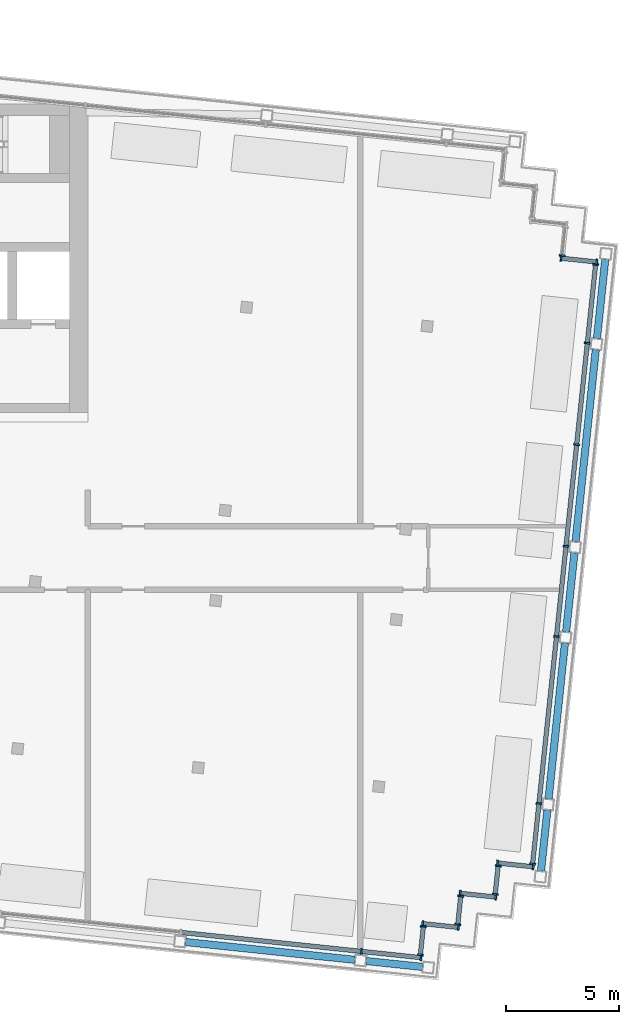
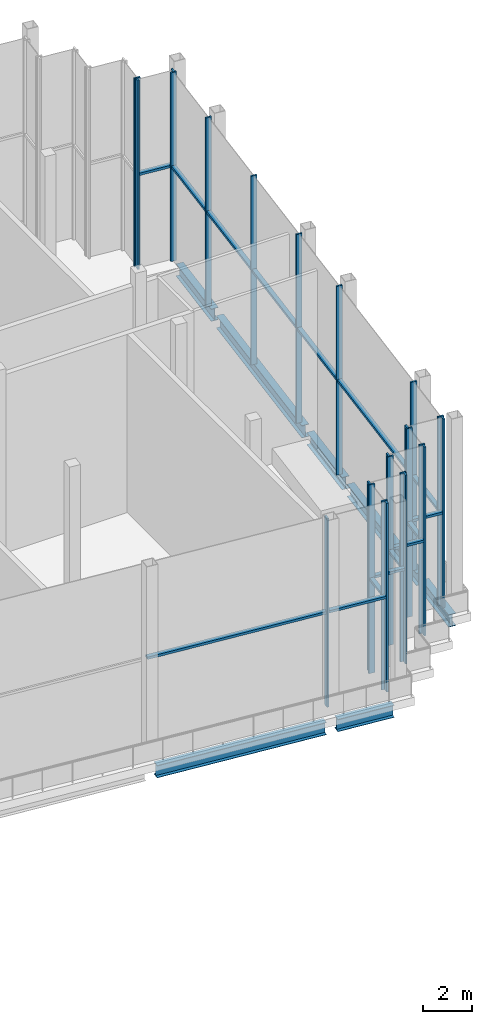
# One storey, part 3 of 14: 39 members, 7 beams, 10 elements without a shape of their own.
"""IFC4 building model written with IfcOpenShell, lengths in metres."""

from ifc_helpers import new_model, si_unit, direction, frame, origin, origin_2d, place, context, subcontext, project, spatial, rectangle, i_section, extrude, material, material_profile, profile_set, type_object, element, aggregate, save


model = new_model("IFC4")

# Units and contexts
model_context = context("Model", 3, precision=1e-05, world=origin(), true_north=direction((0.0, 1.0)))
body_context = subcontext(model_context, "Body", "Model", "MODEL_VIEW")
ifc_project = project(units=[si_unit("LENGTHUNIT", "METRE"), si_unit("AREAUNIT", "SQUARE_METRE"), si_unit("VOLUMEUNIT", "CUBIC_METRE"), si_unit("PLANEANGLEUNIT", "RADIAN"), si_unit("MASSUNIT", "GRAM", prefix="KILO")], contexts=[model_context])

# Site, building, storey
site_placement = place(None, origin())
site = spatial("IfcSite", under=ifc_project, at=site_placement, CompositionType="ELEMENT")
building_placement = place(site_placement, origin())
building = spatial("IfcBuilding", under=site, at=building_placement, Name="Vidyagriha Tower", CompositionType="ELEMENT")
storey_placement = place(building_placement, frame((0.0, 0.0, 281.89990234375)))
storey = spatial("IfcBuildingStorey", under=building, at=storey_placement, Name="L74", CompositionType="ELEMENT", Elevation=281.89990234375)

# Beams
ifc_material_1 = material(Name="Steel ASTM A992 Grade 50", Category="steel")
ifc_material_profile_1 = material_profile(ifc_material_1, i_section(OverallWidth=0.32373046875, OverallDepth=0.612060546875, WebThickness=0.0126953125, FlangeThickness=0.01904296875, at=origin_2d()), Name="W24X104")
ifc_profile_set_1 = profile_set([ifc_material_profile_1], Name="Steel ASTM A992 Grade 50")
beam_type = type_object("IfcBeamType", Name="Edge beam W24X104", PredefinedType="SPANDREL", material=ifc_profile_set_1)
beam_1_placement = place(storey_placement, frame((14.304931640625, -16.92724609375, -0.7060546875), z_axis=(0.994522384662, -0.104523807841, 0.0), x_axis=(0.104523807841, 0.994522384662, 0.0)))
element("IfcBeam", 1, at=beam_1_placement, inside=storey, type_object=beam_type, Name="st-beam-L74-S06", PredefinedType="SPANDREL", context=body_context, shape_type="SweptSolid", body=[
    extrude(i_section(OverallWidth=0.32373046875, OverallDepth=0.612060546875, WebThickness=0.0126953125, FlangeThickness=0.01904296875, at=origin_2d()), origin(), (0.0, 0.0, 1.0), 7.5),
])
beam_2_placement = place(storey_placement, frame((22.260986328125, -17.763427734375, -0.7060546875), z_axis=(0.994515615024, -0.104588199498, 0.0), x_axis=(0.104588199498, 0.994515615024, 0.0)))
element("IfcBeam", 2, at=beam_2_placement, inside=storey, type_object=beam_type, Name="st-beam-L74-S07", PredefinedType="SPANDREL", context=body_context, shape_type="SweptSolid", body=[
    extrude(i_section(OverallWidth=0.32373046875, OverallDepth=0.612060546875, WebThickness=0.0126953125, FlangeThickness=0.01904296875, at=origin_2d()), origin(), (0.0, 0.0, 1.0), 2.5),
])
beam_3_placement = place(storey_placement, frame((29.968017578125, -13.79736328125, -0.7060546875), z_axis=(0.104435320588, 0.994531680649, 0.0), x_axis=(-0.994531680649, 0.104435320588, 0.0)))
element("IfcBeam", 3, at=beam_3_placement, inside=storey, type_object=beam_type, Name="st-beam-L74-E13", PredefinedType="SPANDREL", context=body_context, shape_type="SweptSolid", body=[
    extrude(i_section(OverallWidth=0.32373046875, OverallDepth=0.612060546875, WebThickness=0.0126953125, FlangeThickness=0.01904296875, at=origin_2d()), origin(), (0.0, 0.0, 1.0), 2.699951171875),
])
beam_4_placement = place(storey_placement, frame((30.30224609375, -10.61474609375, -0.7060546875), z_axis=(0.104557694553, 0.994518822602, 0.0), x_axis=(-0.994518822602, 0.104557694553, 0.0)))
element("IfcBeam", 4, at=beam_4_placement, inside=storey, type_object=beam_type, Name="st-beam-L74-E14", PredefinedType="SPANDREL", context=body_context, shape_type="SweptSolid", body=[
    extrude(i_section(OverallWidth=0.32373046875, OverallDepth=0.612060546875, WebThickness=0.0126953125, FlangeThickness=0.01904296875, at=origin_2d()), origin(), (0.0, 0.0, 1.0), 6.89990234375),
])
beam_5_placement = place(storey_placement, frame((31.075927734375, -3.25537109375, -0.7060546875), z_axis=(0.104495960989, 0.994525310958, 0.0), x_axis=(-0.994525310958, 0.104495960989, 0.0)))
element("IfcBeam", 5, at=beam_5_placement, inside=storey, type_object=beam_type, Name="st-beam-L74-E15", PredefinedType="SPANDREL", context=body_context, shape_type="SweptSolid", body=[
    extrude(i_section(OverallWidth=0.32373046875, OverallDepth=0.612060546875, WebThickness=0.0126953125, FlangeThickness=0.01904296875, at=origin_2d()), origin(), (0.0, 0.0, 1.0), 3.499755859375),
])
beam_6_placement = place(storey_placement, frame((31.493896484375, 0.72265625, -0.7060546875), z_axis=(0.104550220202, 0.994519608382, 0.0), x_axis=(-0.994519608382, 0.104550220202, 0.0)))
element("IfcBeam", 6, at=beam_6_placement, inside=storey, type_object=beam_type, Name="st-beam-L74-E16", PredefinedType="SPANDREL", context=body_context, shape_type="SweptSolid", body=[
    extrude(i_section(OverallWidth=0.32373046875, OverallDepth=0.612060546875, WebThickness=0.0126953125, FlangeThickness=0.01904296875, at=origin_2d()), origin(), (0.0, 0.0, 1.0), 8.5),
])
beam_7_placement = place(storey_placement, frame((32.434814453125, 9.67333984375, -0.7060546875), z_axis=(0.104488712073, 0.994526072584, 0.0), x_axis=(-0.994526072584, 0.104488712073, 0.0)))
element("IfcBeam", 7, at=beam_7_placement, inside=storey, type_object=beam_type, Name="st-beam-L74-E17", PredefinedType="SPANDREL", context=body_context, shape_type="SweptSolid", body=[
    extrude(i_section(OverallWidth=0.32373046875, OverallDepth=0.612060546875, WebThickness=0.0126953125, FlangeThickness=0.01904296875, at=origin_2d()), origin(), (0.0, 0.0, 1.0), 3.5),
])

# Curtain wall, members
ifc_material_2 = material(Name="Aluminium and glass curtain wall", Category="aluminium")
curtain_wall_type = type_object("IfcCurtainWallType", Name="Winter garden glazing wall", PredefinedType="USERDEFINED", material=ifc_material_2)
curtain_wall_1_placement = place(storey_placement, origin())
curtain_wall_1 = element("IfcCurtainWall", 8, at=curtain_wall_1_placement, inside=storey, type_object=curtain_wall_type, Name="CW3 winter garden glazing", ObjectType="STICK GLAZING", PredefinedType="USERDEFINED")
ifc_material_3 = material(Name="Aluminium black anodised", Category="aluminium")
ifc_material_profile_2 = material_profile(ifc_material_3, rectangle(XDim=0.260009765625, YDim=0.080078125, at=origin_2d()), Name="Mullion 80x260 black aluminium")
ifc_profile_set_2 = profile_set([ifc_material_profile_2], Name="Aluminium black anodised")
member_type_1 = type_object("IfcMemberType", Name="Mullion 80x260 black aluminium", PredefinedType="MULLION", material=ifc_profile_set_2)
member_1_placement = place(storey_placement, frame((32.4267578125, 13.042724609375, 0.0), z_axis=(0.0, 0.0, 1.0), x_axis=(-0.104465258184, -0.99452853646, 0.0)))
member_1 = element("IfcMember", 9, at=member_1_placement, type_object=member_type_1, Name="CW3 mullion 1", PredefinedType="MULLION", context=body_context, shape_type="SweptSolid", body=[
    extrude(rectangle(XDim=0.260009765625, YDim=0.080078125, at=origin_2d()), origin(), (0.0, 0.0, 1.0), 9.320068359375),
])
member_2_placement = place(storey_placement, frame((30.85546875, 13.207763671875, 0.0), z_axis=(0.0, 0.0, 1.0), x_axis=(-0.104465258184, -0.99452853646, 0.0)))
member_2 = element("IfcMember", 10, at=member_2_placement, type_object=member_type_1, Name="CW3 mullion 2", PredefinedType="MULLION", context=body_context, shape_type="SweptSolid", body=[
    extrude(rectangle(XDim=0.260009765625, YDim=0.080078125, at=origin_2d()), origin(), (0.0, 0.0, 1.0), 9.320068359375),
])

# Curtain wall, member
curtain_wall_2_placement = place(storey_placement, origin())
curtain_wall_2 = element("IfcCurtainWall", 11, at=curtain_wall_2_placement, inside=storey, type_object=curtain_wall_type, Name="CW3 winter garden glazing", ObjectType="STICK GLAZING", PredefinedType="USERDEFINED")
member_3_placement = place(storey_placement, frame((30.907958984375, 13.322998046875, 0.0), z_axis=(0.0, 0.0, 1.0), x_axis=(-0.994527511623, 0.104475014354, 0.0)))
member_3 = element("IfcMember", 12, at=member_3_placement, type_object=member_type_1, Name="CW3 mullion 1", PredefinedType="MULLION", context=body_context, shape_type="SweptSolid", body=[
    extrude(rectangle(XDim=0.260009765625, YDim=0.080078125, at=origin_2d()), origin(), (0.0, 0.0, 1.0), 9.320068359375),
])
aggregate(curtain_wall_2, [member_3])

# Curtain wall, members
curtain_wall_3_placement = place(storey_placement, origin())
curtain_wall_3 = element("IfcCurtainWall", 13, at=curtain_wall_3_placement, inside=storey, type_object=curtain_wall_type, Name="CW3 winter garden glazing", ObjectType="STICK GLAZING", PredefinedType="USERDEFINED")
member_4_placement = place(storey_placement, frame((22.05419921875, -17.33935546875, 0.0), z_axis=(0.0, 0.0, 1.0), x_axis=(0.104528251556, 0.99452191762, 0.0)))
member_4 = element("IfcMember", 14, at=member_4_placement, type_object=member_type_1, Name="CW3 mullion 7", PredefinedType="MULLION", context=body_context, shape_type="SweptSolid", body=[
    extrude(rectangle(XDim=0.260009765625, YDim=0.080078125, at=origin_2d()), origin(), (0.0, 0.0, 1.0), 9.320068359375),
])
member_5_placement = place(storey_placement, frame((24.679931640625, -17.615478515625, 0.0), z_axis=(0.0, 0.0, 1.0), x_axis=(0.104528251556, 0.99452191762, 0.0)))
member_5 = element("IfcMember", 15, at=member_5_placement, type_object=member_type_1, Name="CW3 mullion 8", PredefinedType="MULLION", context=body_context, shape_type="SweptSolid", body=[
    extrude(rectangle(XDim=0.260009765625, YDim=0.080078125, at=origin_2d()), origin(), (0.0, 0.0, 1.0), 9.320068359375),
])

curtain_wall_4_placement = place(storey_placement, origin())
curtain_wall_4 = element("IfcCurtainWall", 16, at=curtain_wall_4_placement, inside=storey, type_object=curtain_wall_type, Name="CW3 winter garden glazing", ObjectType="STICK GLAZING", PredefinedType="USERDEFINED")
member_6_placement = place(storey_placement, frame((24.652587890625, -17.491943359375, 0.0), z_axis=(0.0, 0.0, 1.0), x_axis=(-0.994518939392, 0.104556583677, 0.0)))
member_6 = element("IfcMember", 17, at=member_6_placement, type_object=member_type_1, Name="CW3 mullion 1", PredefinedType="MULLION", context=body_context, shape_type="SweptSolid", body=[
    extrude(rectangle(XDim=0.260009765625, YDim=0.080078125, at=origin_2d()), origin(), (0.0, 0.0, 1.0), 9.320068359375),
])
member_7_placement = place(storey_placement, frame((24.784423828125, -16.23876953125, 0.0), z_axis=(0.0, 0.0, 1.0), x_axis=(-0.994518939392, 0.104556583677, 0.0)))
member_7 = element("IfcMember", 18, at=member_7_placement, type_object=member_type_1, Name="CW3 mullion 2", PredefinedType="MULLION", context=body_context, shape_type="SweptSolid", body=[
    extrude(rectangle(XDim=0.260009765625, YDim=0.080078125, at=origin_2d()), origin(), (0.0, 0.0, 1.0), 9.320068359375),
])

curtain_wall_5_placement = place(storey_placement, origin())
curtain_wall_5 = element("IfcCurtainWall", 19, at=curtain_wall_5_placement, inside=storey, type_object=curtain_wall_type, Name="CW3 winter garden glazing", ObjectType="STICK GLAZING", PredefinedType="USERDEFINED")
member_8_placement = place(storey_placement, frame((24.757080078125, -16.115478515625, 0.0), z_axis=(0.0, 0.0, 1.0), x_axis=(0.104518583201, 0.994522933756, 0.0)))
member_8 = element("IfcMember", 20, at=member_8_placement, type_object=member_type_1, Name="CW3 mullion 1", PredefinedType="MULLION", context=body_context, shape_type="SweptSolid", body=[
    extrude(rectangle(XDim=0.260009765625, YDim=0.080078125, at=origin_2d()), origin(), (0.0, 0.0, 1.0), 9.320068359375),
])
member_9_placement = place(storey_placement, frame((26.328369140625, -16.280517578125, 0.0), z_axis=(0.0, 0.0, 1.0), x_axis=(0.104518583201, 0.994522933756, 0.0)))
member_9 = element("IfcMember", 21, at=member_9_placement, type_object=member_type_1, Name="CW3 mullion 2", PredefinedType="MULLION", context=body_context, shape_type="SweptSolid", body=[
    extrude(rectangle(XDim=0.260009765625, YDim=0.080078125, at=origin_2d()), origin(), (0.0, 0.0, 1.0), 9.320068359375),
])

curtain_wall_6_placement = place(storey_placement, origin())
curtain_wall_6 = element("IfcCurtainWall", 22, at=curtain_wall_6_placement, inside=storey, type_object=curtain_wall_type, Name="CW3 winter garden glazing", ObjectType="STICK GLAZING", PredefinedType="USERDEFINED")
member_10_placement = place(storey_placement, frame((26.30126953125, -16.156982421875, 0.0), z_axis=(0.0, 0.0, 1.0), x_axis=(-0.994519755162, 0.104548823962, 0.0)))
member_10 = element("IfcMember", 23, at=member_10_placement, type_object=member_type_1, Name="CW3 mullion 1", PredefinedType="MULLION", context=body_context, shape_type="SweptSolid", body=[
    extrude(rectangle(XDim=0.260009765625, YDim=0.080078125, at=origin_2d()), origin(), (0.0, 0.0, 1.0), 9.320068359375),
])
member_11_placement = place(storey_placement, frame((26.432861328125, -14.90380859375, 0.0), z_axis=(0.0, 0.0, 1.0), x_axis=(-0.994519755162, 0.104548823962, 0.0)))
member_11 = element("IfcMember", 24, at=member_11_placement, type_object=member_type_1, Name="CW3 mullion 2", PredefinedType="MULLION", context=body_context, shape_type="SweptSolid", body=[
    extrude(rectangle(XDim=0.260009765625, YDim=0.080078125, at=origin_2d()), origin(), (0.0, 0.0, 1.0), 9.320068359375),
])

curtain_wall_7_placement = place(storey_placement, origin())
curtain_wall_7 = element("IfcCurtainWall", 25, at=curtain_wall_7_placement, inside=storey, type_object=curtain_wall_type, Name="CW3 winter garden glazing", ObjectType="STICK GLAZING", PredefinedType="USERDEFINED")
member_12_placement = place(storey_placement, frame((26.405517578125, -14.7802734375, 0.0), z_axis=(0.0, 0.0, 1.0), x_axis=(0.104518583201, 0.994522933756, 0.0)))
member_12 = element("IfcMember", 26, at=member_12_placement, type_object=member_type_1, Name="CW3 mullion 1", PredefinedType="MULLION", context=body_context, shape_type="SweptSolid", body=[
    extrude(rectangle(XDim=0.260009765625, YDim=0.080078125, at=origin_2d()), origin(), (0.0, 0.0, 1.0), 9.320068359375),
])
member_13_placement = place(storey_placement, frame((27.976806640625, -14.945556640625, 0.0), z_axis=(0.0, 0.0, 1.0), x_axis=(0.104518583201, 0.994522933756, 0.0)))
member_13 = element("IfcMember", 27, at=member_13_placement, type_object=member_type_1, Name="CW3 mullion 2", PredefinedType="MULLION", context=body_context, shape_type="SweptSolid", body=[
    extrude(rectangle(XDim=0.260009765625, YDim=0.080078125, at=origin_2d()), origin(), (0.0, 0.0, 1.0), 9.320068359375),
])

curtain_wall_8_placement = place(storey_placement, origin())
curtain_wall_8 = element("IfcCurtainWall", 28, at=curtain_wall_8_placement, inside=storey, type_object=curtain_wall_type, Name="CW3 winter garden glazing", ObjectType="STICK GLAZING", PredefinedType="USERDEFINED")
member_14_placement = place(storey_placement, frame((27.94970703125, -14.822021484375, 0.0), z_axis=(0.0, 0.0, 1.0), x_axis=(-0.994519755162, 0.104548823962, 0.0)))
member_14 = element("IfcMember", 29, at=member_14_placement, type_object=member_type_1, Name="CW3 mullion 1", PredefinedType="MULLION", context=body_context, shape_type="SweptSolid", body=[
    extrude(rectangle(XDim=0.260009765625, YDim=0.080078125, at=origin_2d()), origin(), (0.0, 0.0, 1.0), 9.320068359375),
])
member_15_placement = place(storey_placement, frame((28.081298828125, -13.56884765625, 0.0), z_axis=(0.0, 0.0, 1.0), x_axis=(-0.994519755162, 0.104548823962, 0.0)))
member_15 = element("IfcMember", 30, at=member_15_placement, type_object=member_type_1, Name="CW3 mullion 2", PredefinedType="MULLION", context=body_context, shape_type="SweptSolid", body=[
    extrude(rectangle(XDim=0.260009765625, YDim=0.080078125, at=origin_2d()), origin(), (0.0, 0.0, 1.0), 9.320068359375),
])

curtain_wall_9_placement = place(storey_placement, origin())
curtain_wall_9 = element("IfcCurtainWall", 31, at=curtain_wall_9_placement, inside=storey, type_object=curtain_wall_type, Name="CW3 winter garden glazing", ObjectType="STICK GLAZING", PredefinedType="USERDEFINED")
member_16_placement = place(storey_placement, frame((28.05419921875, -13.4453125, 0.0), z_axis=(0.0, 0.0, 1.0), x_axis=(0.104512321721, 0.994523591781, 0.0)))
member_16 = element("IfcMember", 32, at=member_16_placement, type_object=member_type_1, Name="CW3 mullion 1", PredefinedType="MULLION", context=body_context, shape_type="SweptSolid", body=[
    extrude(rectangle(XDim=0.260009765625, YDim=0.080078125, at=origin_2d()), origin(), (0.0, 0.0, 1.0), 9.320068359375),
])
member_17_placement = place(storey_placement, frame((29.62548828125, -13.610595703125, 0.0), z_axis=(0.0, 0.0, 1.0), x_axis=(0.104512321721, 0.994523591781, 0.0)))
member_17 = element("IfcMember", 33, at=member_17_placement, type_object=member_type_1, Name="CW3 mullion 2", PredefinedType="MULLION", context=body_context, shape_type="SweptSolid", body=[
    extrude(rectangle(XDim=0.260009765625, YDim=0.080078125, at=origin_2d()), origin(), (0.0, 0.0, 1.0), 9.320068359375),
])

curtain_wall_10_placement = place(storey_placement, origin())
curtain_wall_10 = element("IfcCurtainWall", 34, at=curtain_wall_10_placement, inside=storey, type_object=curtain_wall_type, Name="CW3 winter garden glazing", ObjectType="STICK GLAZING", PredefinedType="USERDEFINED")
member_18_placement = place(storey_placement, frame((29.598388671875, -13.487060546875, 0.0), z_axis=(0.0, 0.0, 1.0), x_axis=(-0.994522059728, 0.104526899479, 0.0)))
member_18 = element("IfcMember", 35, at=member_18_placement, type_object=member_type_1, Name="CW3 mullion 1", PredefinedType="MULLION", context=body_context, shape_type="SweptSolid", body=[
    extrude(rectangle(XDim=0.260009765625, YDim=0.080078125, at=origin_2d()), origin(), (0.0, 0.0, 1.0), 9.320068359375),
])
member_19_placement = place(storey_placement, frame((29.87841796875, -10.82177734375, 0.0), z_axis=(0.0, 0.0, 1.0), x_axis=(-0.994522059728, 0.104526899479, 0.0)))
member_19 = element("IfcMember", 36, at=member_19_placement, type_object=member_type_1, Name="CW3 mullion 2", PredefinedType="MULLION", context=body_context, shape_type="SweptSolid", body=[
    extrude(rectangle(XDim=0.260009765625, YDim=0.080078125, at=origin_2d()), origin(), (0.0, 0.0, 1.0), 9.320068359375),
])
member_20_placement = place(storey_placement, frame((30.65185546875, -3.462158203125, 0.0), z_axis=(0.0, 0.0, 1.0), x_axis=(-0.994522059728, 0.104526899479, 0.0)))
member_20 = element("IfcMember", 37, at=member_20_placement, type_object=member_type_1, Name="CW3 mullion 3", PredefinedType="MULLION", context=body_context, shape_type="SweptSolid", body=[
    extrude(rectangle(XDim=0.260009765625, YDim=0.080078125, at=origin_2d()), origin(), (0.0, 0.0, 1.0), 9.320068359375),
])
member_21_placement = place(storey_placement, frame((31.070068359375, 0.515869140625, 0.0), z_axis=(0.0, 0.0, 1.0), x_axis=(-0.994522059728, 0.104526899479, 0.0)))
member_21 = element("IfcMember", 38, at=member_21_placement, type_object=member_type_1, Name="CW3 mullion 4", PredefinedType="MULLION", context=body_context, shape_type="SweptSolid", body=[
    extrude(rectangle(XDim=0.260009765625, YDim=0.080078125, at=origin_2d()), origin(), (0.0, 0.0, 1.0), 9.320068359375),
])
member_22_placement = place(storey_placement, frame((31.540283203125, 4.9912109375, 0.0), z_axis=(0.0, 0.0, 1.0), x_axis=(-0.994522059728, 0.104526899479, 0.0)))
member_22 = element("IfcMember", 39, at=member_22_placement, type_object=member_type_1, Name="CW3 mullion 5", PredefinedType="MULLION", context=body_context, shape_type="SweptSolid", body=[
    extrude(rectangle(XDim=0.260009765625, YDim=0.080078125, at=origin_2d()), origin(), (0.0, 0.0, 1.0), 9.320068359375),
])
member_23_placement = place(storey_placement, frame((32.0107421875, 9.466552734375, 0.0), z_axis=(0.0, 0.0, 1.0), x_axis=(-0.994522059728, 0.104526899479, 0.0)))
member_23 = element("IfcMember", 40, at=member_23_placement, type_object=member_type_1, Name="CW3 mullion 6", PredefinedType="MULLION", context=body_context, shape_type="SweptSolid", body=[
    extrude(rectangle(XDim=0.260009765625, YDim=0.080078125, at=origin_2d()), origin(), (0.0, 0.0, 1.0), 9.320068359375),
])
member_24_placement = place(storey_placement, frame((32.37451171875, 12.927490234375, 0.0), z_axis=(0.0, 0.0, 1.0), x_axis=(-0.994522059728, 0.104526899479, 0.0)))
member_24 = element("IfcMember", 41, at=member_24_placement, type_object=member_type_1, Name="CW3 mullion 7", PredefinedType="MULLION", context=body_context, shape_type="SweptSolid", body=[
    extrude(rectangle(XDim=0.260009765625, YDim=0.080078125, at=origin_2d()), origin(), (0.0, 0.0, 1.0), 9.320068359375),
])

# Member
ifc_material_4 = material(Name="Aluminium black anodised", Category="aluminium")
ifc_material_profile_3 = material_profile(ifc_material_4, rectangle(XDim=0.199951171875, YDim=0.1201171875, at=origin_2d()), Name="Transom 120x200 black aluminium")
ifc_profile_set_3 = profile_set([ifc_material_profile_3], Name="Aluminium black anodised")
member_type_2 = type_object("IfcMemberType", Name="Transom 120x200 black aluminium", PredefinedType="USERDEFINED", material=ifc_profile_set_3)
member_25_placement = place(storey_placement, frame((32.386962890625, 13.046875, 4.66015625), z_axis=(-0.994525057048, 0.104498377516, 0.0), x_axis=(-0.104498377516, -0.994525057048, 0.0)))
member_25 = element("IfcMember", 42, at=member_25_placement, type_object=member_type_2, Name="CW3 transom 1.1", ObjectType="TRANSOM", PredefinedType="USERDEFINED", context=body_context, shape_type="SweptSolid", body=[
    extrude(rectangle(XDim=0.199951171875, YDim=0.1201171875, at=origin_2d()), origin(), (0.0, 0.0, 1.0), 1.5),
])

aggregate(curtain_wall_1, [member_1, member_2, member_25])

member_26_placement = place(storey_placement, frame((14.137939453125, -16.50732421875, 4.66015625), z_axis=(0.99452148786, -0.10453234038, 0.0), x_axis=(0.10453234038, 0.99452148786, 0.0)))
member_26 = element("IfcMember", 43, at=member_26_placement, type_object=member_type_2, Name="CW3 transom 6.1", ObjectType="TRANSOM", PredefinedType="USERDEFINED", context=body_context, shape_type="SweptSolid", body=[
    extrude(rectangle(XDim=0.199951171875, YDim=0.1201171875, at=origin_2d()), origin(), (0.0, 0.0, 1.0), 7.919921875),
])

member_27_placement = place(storey_placement, frame((22.093994140625, -17.34375, 4.66015625), z_axis=(0.994523204544, -0.104516006538, 0.0), x_axis=(0.104516006538, 0.994523204544, 0.0)))
member_27 = element("IfcMember", 44, at=member_27_placement, type_object=member_type_2, Name="CW3 transom 7.1", ObjectType="TRANSOM", PredefinedType="USERDEFINED", context=body_context, shape_type="SweptSolid", body=[
    extrude(rectangle(XDim=0.199951171875, YDim=0.1201171875, at=origin_2d()), origin(), (0.0, 0.0, 1.0), 2.56005859375),
])

aggregate(curtain_wall_3, [member_4, member_5, member_26, member_27])

member_28_placement = place(storey_placement, frame((24.65673828125, -17.4521484375, 4.66015625), z_axis=(0.104480158203, 0.994526971249, 0.0), x_axis=(-0.994526971249, 0.104480158203, 0.0)))
member_28 = element("IfcMember", 45, at=member_28_placement, type_object=member_type_2, Name="CW3 transom 1.1", ObjectType="TRANSOM", PredefinedType="USERDEFINED", context=body_context, shape_type="SweptSolid", body=[
    extrude(rectangle(XDim=0.199951171875, YDim=0.1201171875, at=origin_2d()), origin(), (0.0, 0.0, 1.0), 1.179931640625),
])

aggregate(curtain_wall_4, [member_6, member_7, member_28])

member_29_placement = place(storey_placement, frame((24.796875, -16.11962890625, 4.66015625), z_axis=(0.994525057048, -0.104498377516, 0.0), x_axis=(0.104498377516, 0.994525057048, 0.0)))
member_29 = element("IfcMember", 46, at=member_29_placement, type_object=member_type_2, Name="CW3 transom 1.1", ObjectType="TRANSOM", PredefinedType="USERDEFINED", context=body_context, shape_type="SweptSolid", body=[
    extrude(rectangle(XDim=0.199951171875, YDim=0.1201171875, at=origin_2d()), origin(), (0.0, 0.0, 1.0), 1.5),
])

aggregate(curtain_wall_5, [member_8, member_9, member_29])

member_30_placement = place(storey_placement, frame((26.305419921875, -16.1171875, 4.66015625), z_axis=(0.104480158203, 0.994526971249, 0.0), x_axis=(-0.994526971249, 0.104480158203, 0.0)))
member_30 = element("IfcMember", 47, at=member_30_placement, type_object=member_type_2, Name="CW3 transom 1.1", ObjectType="TRANSOM", PredefinedType="USERDEFINED", context=body_context, shape_type="SweptSolid", body=[
    extrude(rectangle(XDim=0.199951171875, YDim=0.1201171875, at=origin_2d()), origin(), (0.0, 0.0, 1.0), 1.179931640625),
])

aggregate(curtain_wall_6, [member_10, member_11, member_30])

member_31_placement = place(storey_placement, frame((26.4453125, -14.78466796875, 4.66015625), z_axis=(0.994526834051, -0.104481464157, 0.0), x_axis=(0.104481464157, 0.994526834051, 0.0)))
member_31 = element("IfcMember", 48, at=member_31_placement, type_object=member_type_2, Name="CW3 transom 1.1", ObjectType="TRANSOM", PredefinedType="USERDEFINED", context=body_context, shape_type="SweptSolid", body=[
    extrude(rectangle(XDim=0.199951171875, YDim=0.1201171875, at=origin_2d()), origin(), (0.0, 0.0, 1.0), 1.500244140625),
])

aggregate(curtain_wall_7, [member_12, member_13, member_31])

member_32_placement = place(storey_placement, frame((27.953857421875, -14.7822265625, 4.66015625), z_axis=(0.104480158203, 0.994526971249, 0.0), x_axis=(-0.994526971249, 0.104480158203, 0.0)))
member_32 = element("IfcMember", 49, at=member_32_placement, type_object=member_type_2, Name="CW3 transom 1.1", ObjectType="TRANSOM", PredefinedType="USERDEFINED", context=body_context, shape_type="SweptSolid", body=[
    extrude(rectangle(XDim=0.199951171875, YDim=0.1201171875, at=origin_2d()), origin(), (0.0, 0.0, 1.0), 1.179931640625),
])

aggregate(curtain_wall_8, [member_14, member_15, member_32])

member_33_placement = place(storey_placement, frame((28.09375, -13.449462890625, 4.66015625), z_axis=(0.994509910675, -0.104642427191, 0.0), x_axis=(0.104642427191, 0.994509910675, 0.0)))
member_33 = element("IfcMember", 50, at=member_33_placement, type_object=member_type_2, Name="CW3 transom 1.1", ObjectType="TRANSOM", PredefinedType="USERDEFINED", context=body_context, shape_type="SweptSolid", body=[
    extrude(rectangle(XDim=0.199951171875, YDim=0.1201171875, at=origin_2d()), origin(), (0.0, 0.0, 1.0), 1.500244140625),
])

aggregate(curtain_wall_9, [member_16, member_17, member_33])

member_34_placement = place(storey_placement, frame((29.6025390625, -13.447265625, 4.66015625), z_axis=(0.104513699976, 0.994523446942, 0.0), x_axis=(-0.994523446942, 0.104513699976, 0.0)))
member_34 = element("IfcMember", 51, at=member_34_placement, type_object=member_type_2, Name="CW3 transom 1.1", ObjectType="TRANSOM", PredefinedType="USERDEFINED", context=body_context, shape_type="SweptSolid", body=[
    extrude(rectangle(XDim=0.199951171875, YDim=0.1201171875, at=origin_2d()), origin(), (0.0, 0.0, 1.0), 2.599853515625),
])

member_35_placement = place(storey_placement, frame((29.882568359375, -10.781982421875, 4.66015625), z_axis=(0.104525059235, 0.994522253141, 0.0), x_axis=(-0.994522253141, 0.104525059235, 0.0)))
member_35 = element("IfcMember", 52, at=member_35_placement, type_object=member_type_2, Name="CW3 transom 2.1", ObjectType="TRANSOM", PredefinedType="USERDEFINED", context=body_context, shape_type="SweptSolid", body=[
    extrude(rectangle(XDim=0.199951171875, YDim=0.1201171875, at=origin_2d()), origin(), (0.0, 0.0, 1.0), 7.320068359375),
])

member_36_placement = place(storey_placement, frame((30.656005859375, -3.42236328125, 4.66015625), z_axis=(0.104571311333, 0.994517390922, 0.0), x_axis=(-0.994517390922, 0.104571311333, 0.0)))
member_36 = element("IfcMember", 53, at=member_36_placement, type_object=member_type_2, Name="CW3 transom 3.1", ObjectType="TRANSOM", PredefinedType="USERDEFINED", context=body_context, shape_type="SweptSolid", body=[
    extrude(rectangle(XDim=0.199951171875, YDim=0.1201171875, at=origin_2d()), origin(), (0.0, 0.0, 1.0), 3.919921875),
])

member_37_placement = place(storey_placement, frame((31.07421875, 0.5556640625, 4.66015625), z_axis=(0.104506514317, 0.994524202051, 0.0), x_axis=(-0.994524202051, 0.104506514317, 0.0)))
member_37 = element("IfcMember", 54, at=member_37_placement, type_object=member_type_2, Name="CW3 transom 4.1", ObjectType="TRANSOM", PredefinedType="USERDEFINED", context=body_context, shape_type="SweptSolid", body=[
    extrude(rectangle(XDim=0.199951171875, YDim=0.1201171875, at=origin_2d()), origin(), (0.0, 0.0, 1.0), 4.419921875),
])

member_38_placement = place(storey_placement, frame((31.544677734375, 5.031005859375, 4.66015625), z_axis=(0.104506514317, 0.994524202051, 0.0), x_axis=(-0.994524202051, 0.104506514317, 0.0)))
member_38 = element("IfcMember", 55, at=member_38_placement, type_object=member_type_2, Name="CW3 transom 5.1", ObjectType="TRANSOM", PredefinedType="USERDEFINED", context=body_context, shape_type="SweptSolid", body=[
    extrude(rectangle(XDim=0.199951171875, YDim=0.1201171875, at=origin_2d()), origin(), (0.0, 0.0, 1.0), 4.419921875),
])

member_39_placement = place(storey_placement, frame((32.014892578125, 9.50634765625, 4.66015625), z_axis=(0.104550220202, 0.994519608382, 0.0), x_axis=(-0.994519608382, 0.104550220202, 0.0)))
member_39 = element("IfcMember", 56, at=member_39_placement, type_object=member_type_2, Name="CW3 transom 6.1", ObjectType="TRANSOM", PredefinedType="USERDEFINED", context=body_context, shape_type="SweptSolid", body=[
    extrude(rectangle(XDim=0.199951171875, YDim=0.1201171875, at=origin_2d()), origin(), (0.0, 0.0, 1.0), 3.39990234375),
])

aggregate(curtain_wall_10, [member_18, member_19, member_20, member_21, member_22, member_23, member_24, member_34, member_35, member_36, member_37, member_38, member_39])

save(model, "model.ifc")
